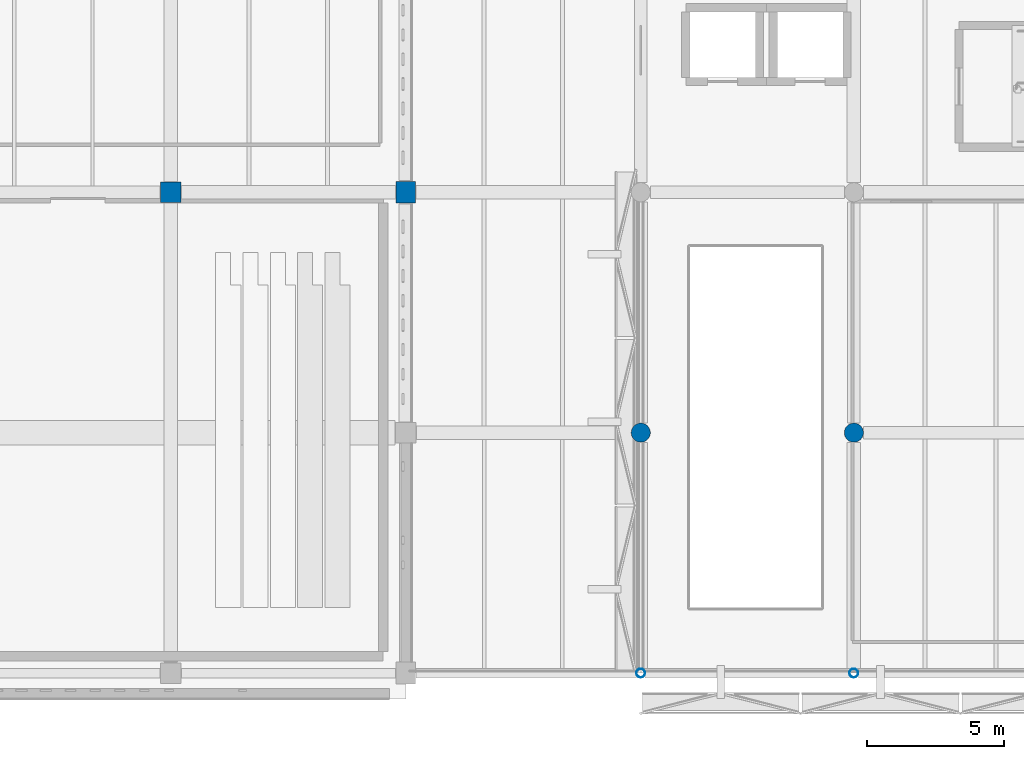
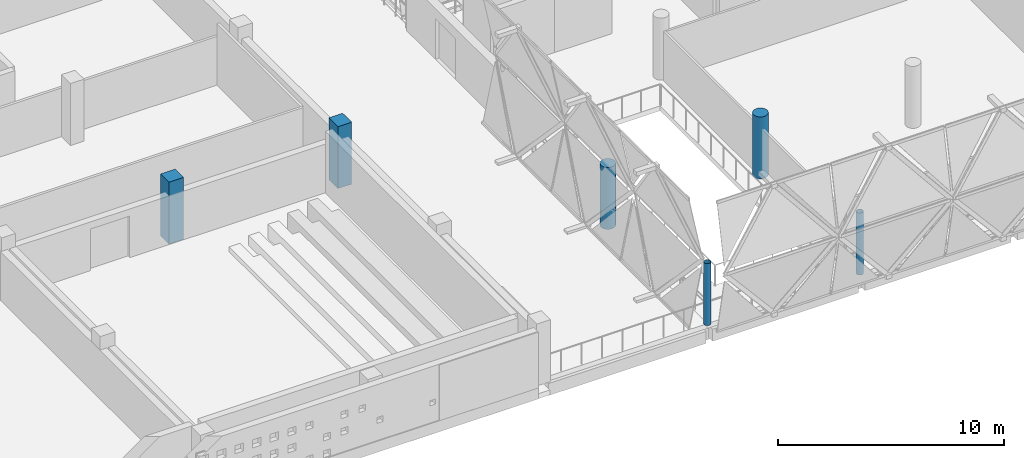
# One storey, part 2 of 93: 6 columns.
"""IFC4 building model written with IfcOpenShell, lengths in metres."""

from ifc_helpers import new_model, si_unit, direction, frame, origin, origin_2d, place, context, subcontext, project, spatial, rectangle, circle, hollow_circle, extrude, material, material_profile, profile_set, type_object, element, save


model = new_model("IFC4")

# Units and contexts
model_context = context("Model", 3, precision=1e-05, world=origin(), true_north=direction((0.0, 1.0)))
body_context = subcontext(model_context, "Body", "Model", "MODEL_VIEW")
ifc_project = project(units=[si_unit("LENGTHUNIT", "METRE"), si_unit("AREAUNIT", "SQUARE_METRE"), si_unit("VOLUMEUNIT", "CUBIC_METRE"), si_unit("PLANEANGLEUNIT", "RADIAN"), si_unit("MASSUNIT", "GRAM", prefix="KILO")], contexts=[model_context])

# Site, building, storey
site_placement = place(None, origin())
site = spatial("IfcSite", under=ifc_project, at=site_placement, CompositionType="ELEMENT")
building_placement = place(site_placement, origin())
building = spatial("IfcBuilding", under=site, at=building_placement, Name="Varnakota Cinema and Media Centre", CompositionType="ELEMENT")
storey_placement = place(building_placement, frame((0.0, 0.0, 12.0)))
storey = spatial("IfcBuildingStorey", under=building, at=storey_placement, Name="L03", CompositionType="ELEMENT", Elevation=12.0)

# Columns
ifc_material_1 = material(Name="Concrete M40", Category="concrete")
ifc_material_profile_1 = material_profile(ifc_material_1, rectangle(XDim=0.699951171875, YDim=0.800048828125, at=origin_2d()), Name="RC 700x800")
ifc_profile_set_1 = profile_set([ifc_material_profile_1], Name="Concrete M40")
column_type_1 = type_object("IfcColumnType", Name="COL-RC-700x800", PredefinedType="COLUMN", material=ifc_profile_set_1)
column_1_placement = place(storey_placement, frame((43.0, 17.60009765625, 0.0), z_axis=(0.0, 0.0, 1.0), x_axis=(1.0, 0.0, 0.0)))
element("IfcColumn", 1, at=column_1_placement, inside=storey, type_object=column_type_1, Name="L03 column F/3", PredefinedType="COLUMN", context=body_context, shape_type="SweptSolid", body=[
    extrude(rectangle(XDim=0.699951171875, YDim=0.800048828125, at=origin_2d()), origin(), (0.0, 0.0, 1.0), 3.35009765625),
])
ifc_material_2 = material(Name="Concrete M40", Category="concrete")
ifc_material_profile_2 = material_profile(ifc_material_2, rectangle(XDim=0.75, YDim=0.75, at=origin_2d()), Name="RC 750x750")
ifc_profile_set_2 = profile_set([ifc_material_profile_2], Name="Concrete M40")
column_type_2 = type_object("IfcColumnType", Name="COL-RC-750x750", PredefinedType="COLUMN", material=ifc_profile_set_2)
column_2_placement = place(storey_placement, frame((34.39990234375, 17.60009765625, 0.0), z_axis=(0.0, 0.0, 1.0), x_axis=(1.0, 0.0, 0.0)))
element("IfcColumn", 2, at=column_2_placement, inside=storey, type_object=column_type_2, Name="L03 column E/3", PredefinedType="COLUMN", context=body_context, shape_type="SweptSolid", body=[
    extrude(rectangle(XDim=0.75, YDim=0.75, at=origin_2d()), origin(), (0.0, 0.0, 1.0), 3.35009765625),
])
ifc_material_3 = material(Name="Concrete M40", Category="concrete")
ifc_material_profile_3 = material_profile(ifc_material_3, circle(Radius=0.35009765625, at=origin_2d()), Name="RC D700")
ifc_profile_set_3 = profile_set([ifc_material_profile_3], Name="Concrete M40")
column_type_3 = type_object("IfcColumnType", Name="COL-RC-D700", PredefinedType="COLUMN", material=ifc_profile_set_3)
for number, where, z_axis, x_axis, name in (
    (3, (51.60009765625, 8.800048828125, 0.0), (0.0, 0.0, 1.0), (1.0, 0.0, 0.0), "L03 column G/2"),
    (4, (59.39990234375, 8.800048828125, 0.0), (0.0, 0.0, 1.0), (1.0, 0.0, 0.0), "L03 column H/2"),
):
    element("IfcColumn", number, at=place(storey_placement, frame(where, z_axis=z_axis, x_axis=x_axis)), inside=storey, type_object=column_type_3, Name=name, PredefinedType="COLUMN", context=body_context, shape_type="SweptSolid", body=[
        extrude(circle(Radius=0.35009765625, at=origin_2d()), origin(), (0.0, 0.0, 1.0), 3.35009765625),
    ])
ifc_material_4 = material(Name="Structural steel S355 (YSt 355)", Category="steel")
ifc_material_profile_4 = material_profile(ifc_material_4, hollow_circle(Radius=0.161865234375, WallThickness=0.010009765625, at=origin_2d()), Name="CHS 323.9x10.0")
ifc_profile_set_4 = profile_set([ifc_material_profile_4], Name="Structural steel S355 (YSt 355)")
column_type_4 = type_object("IfcColumnType", Name="COL-ST-CHS324", PredefinedType="COLUMN", material=ifc_profile_set_4)
for number, where, z_axis, x_axis, name in (
    (5, (51.60009765625, 0.0, 0.0), (0.0, 0.0, 1.0), (1.0, 0.0, 0.0), "L03 column G/1"),
    (6, (59.39990234375, 0.0, 0.0), (0.0, 0.0, 1.0), (1.0, 0.0, 0.0), "L03 column H/1"),
):
    element("IfcColumn", number, at=place(storey_placement, frame(where, z_axis=z_axis, x_axis=x_axis)), inside=storey, type_object=column_type_4, Name=name, PredefinedType="COLUMN", context=body_context, shape_type="SweptSolid", body=[
        extrude(hollow_circle(Radius=0.161865234375, WallThickness=0.010009765625, at=origin_2d()), origin(), (0.0, 0.0, 1.0), 3.35009765625),
    ])

save(model, "model.ifc")
